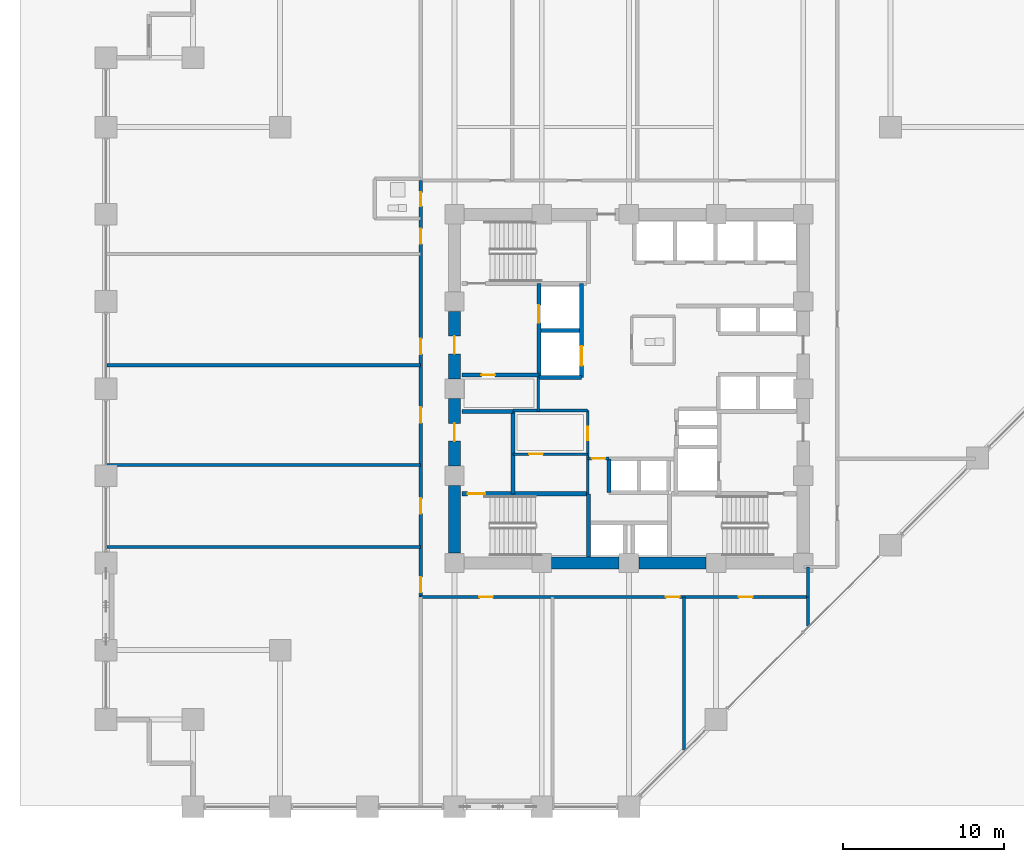
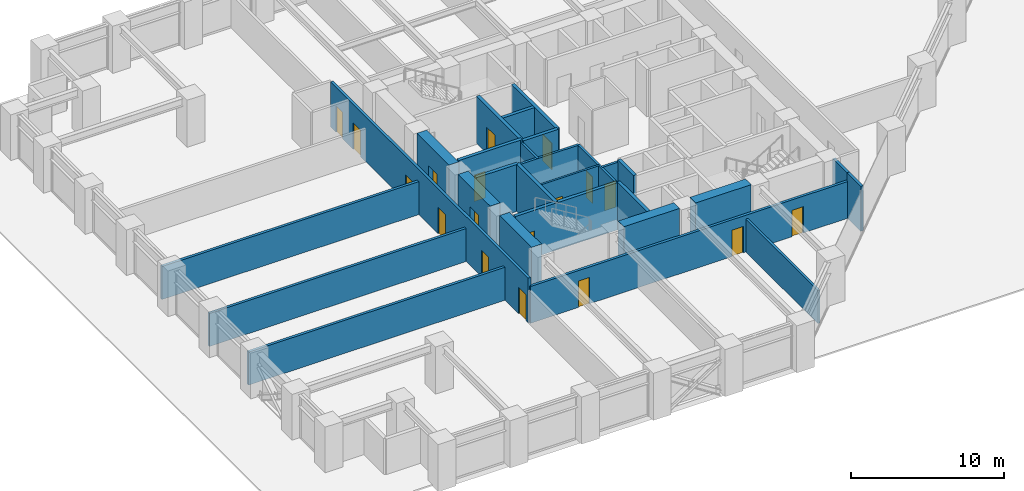
# One storey, part 20 of 27: 28 walls, 18 doors, 18 openings.
"""IFC4 building model written with IfcOpenShell, lengths in metres."""

from ifc_helpers import new_model, si_unit, direction, frame, frame_2d, origin, place, context, subcontext, project, spatial, rectangle, extrude, material, layer, layer_set, type_object, element, fill, save


model = new_model("IFC4")

# Units and contexts
model_context = context("Model", 3, precision=1e-05, world=origin(), true_north=direction((0.0, 1.0)))
body_context = subcontext(model_context, "Body", "Model", "MODEL_VIEW")
ifc_project = project(units=[si_unit("LENGTHUNIT", "METRE"), si_unit("AREAUNIT", "SQUARE_METRE"), si_unit("VOLUMEUNIT", "CUBIC_METRE"), si_unit("PLANEANGLEUNIT", "RADIAN"), si_unit("MASSUNIT", "GRAM", prefix="KILO")], contexts=[model_context])

# Site, building, storey
site_placement = place(None, origin())
site = spatial("IfcSite", under=ifc_project, at=site_placement, CompositionType="ELEMENT")
building_placement = place(site_placement, origin())
building = spatial("IfcBuilding", under=site, at=building_placement, Name="Surkhivell Harbour Commons", CompositionType="ELEMENT")
storey_placement = place(building_placement, frame((0.0, 0.0, 22.5)))
storey = spatial("IfcBuildingStorey", under=building, at=storey_placement, Name="L05", CompositionType="ELEMENT", Elevation=22.5)

# Walls
ifc_material_1 = material(Name="Concrete C60/75", Category="concrete")
ifc_layer_1 = layer(ifc_material_1, 0.75)
ifc_layer_set_1 = layer_set([ifc_layer_1], Name="Concrete C60/75")
wall_type_1 = type_object("IfcWallType", Name="WAL-CORE-750", PredefinedType="SHEAR", material=ifc_layer_set_1)
for number, where, z_axis, x_axis, name in (
    (1, (-10.800048828125, -10.18994140625, 0.0), (0.0, 0.0, 1.0), (0.0, 1.0, 0.0), "L05 Core Shear Wall West 1"),
    (2, (-4.7900390625, -10.800048828125, 0.0), (0.0, 0.0, 1.0), (1.0, 0.0, 0.0), "L05 Core Shear Wall South 2"),
):
    element("IfcWall", number, at=place(storey_placement, frame(where, z_axis=z_axis, x_axis=x_axis)), inside=storey, type_object=wall_type_1, Name=name, PredefinedType="SHEAR", context=body_context, shape_type="SweptSolid", body=[
        extrude(rectangle(XDim=4.179931640625, YDim=0.75, at=frame_2d((2.08984375, 0.0))), origin(), (0.0, 0.0, 1.0), 3.75),
    ])

# Wall, opening, door
wall_1_placement = place(storey_placement, frame((-10.800048828125, -4.7900390625, 0.0), z_axis=(0.0, 0.0, 1.0), x_axis=(0.0, 1.0, 0.0)))
wall_1 = element("IfcWall", 3, at=wall_1_placement, inside=storey, type_object=wall_type_1, Name="L05 Core Shear Wall West 2", PredefinedType="SHEAR", context=body_context, shape_type="SweptSolid", body=[
    extrude(rectangle(XDim=4.179931640625, YDim=0.75, at=frame_2d((2.08984375, 0.0))), origin(), (0.0, 0.0, 1.0), 3.75),
])
opening_1_placement = place(wall_1_placement, frame((1.5400390625, 0.0, 0.0)))
opening_1 = element("IfcOpeningElement", 4, at=opening_1_placement, cuts=wall_1, Name="Opening ID-2", PredefinedType="OPENING", context=body_context, shape_type="SweptSolid", body=[
    extrude(rectangle(XDim=1.10009765625, YDim=2.10009765625, at=frame_2d((0.550048828125, 1.050048828125))), frame((0.0, 0.385009765625, 0.0), z_axis=(0.0, -1.0, 0.0), x_axis=(1.0, 0.0, 0.0)), (0.0, 0.0, 1.0), 0.77001953125),
])
ifc_material_2 = material(Name="Hardwood-veneered fire-rated door leaf", Category="wood")
door_type_1 = type_object("IfcDoorType", Name="DOR-FD60-1100", OperationType="NOTDEFINED", PredefinedType="DOOR", material=ifc_material_2)
door_1_placement = place(opening_1_placement, origin())
door_1 = element("IfcDoor", 5, at=door_1_placement, inside=storey, type_object=door_type_1, Name="L05 Stair 3 Lobby Corridor Door", OperationType="SINGLE_SWING_LEFT", OverallHeight=2.10009765625, OverallWidth=1.10009765625, PredefinedType="DOOR", context=body_context, shape_type="SweptSolid", body=[
    extrude(rectangle(XDim=1.10009765625, YDim=2.10009765625, at=frame_2d((0.550048828125, 1.050048828125))), frame((0.0, 0.02490234375, 0.0), z_axis=(0.0, -1.0, 0.0), x_axis=(1.0, 0.0, 0.0)), (0.0, 0.0, 1.0), 0.050048828125),
])
fill(opening_1, door_1)

# Wall
wall_2_placement = place(storey_placement, frame((0.610107421875, -10.800048828125, 0.0), z_axis=(0.0, 0.0, 1.0), x_axis=(1.0, 0.0, 0.0)))
element("IfcWall", 6, at=wall_2_placement, inside=storey, type_object=wall_type_1, Name="L05 Core Shear Wall South 3", PredefinedType="SHEAR", context=body_context, shape_type="SweptSolid", body=[
    extrude(rectangle(XDim=4.179931640625, YDim=0.75, at=frame_2d((2.08984375, 0.0))), origin(), (0.0, 0.0, 1.0), 3.75),
])

# Wall, opening, door
wall_3_placement = place(storey_placement, frame((-10.800048828125, 0.610107421875, 0.0), z_axis=(0.0, 0.0, 1.0), x_axis=(0.0, 1.0, 0.0)))
wall_3 = element("IfcWall", 7, at=wall_3_placement, inside=storey, type_object=wall_type_1, Name="L05 Core Shear Wall West 3", PredefinedType="SHEAR", context=body_context, shape_type="SweptSolid", body=[
    extrude(rectangle(XDim=4.179931640625, YDim=0.75, at=frame_2d((2.08984375, 0.0))), origin(), (0.0, 0.0, 1.0), 3.75),
])
opening_2_placement = place(wall_3_placement, frame((1.5400390625, 0.0, 0.0)))
opening_2 = element("IfcOpeningElement", 8, at=opening_2_placement, cuts=wall_3, Name="Opening ID-1", PredefinedType="OPENING", context=body_context, shape_type="SweptSolid", body=[
    extrude(rectangle(XDim=1.10009765625, YDim=2.10009765625, at=frame_2d((0.550048828125, 1.050048828125))), frame((0.0, 0.385009765625, 0.0), z_axis=(0.0, -1.0, 0.0), x_axis=(1.0, 0.0, 0.0)), (0.0, 0.0, 1.0), 0.77001953125),
])
door_type_2 = type_object("IfcDoorType", Name="DOR-FD120-1100", OperationType="NOTDEFINED", PredefinedType="DOOR", material=ifc_material_2)
door_2_placement = place(opening_2_placement, origin())
door_2 = element("IfcDoor", 9, at=door_2_placement, inside=storey, type_object=door_type_2, Name="L05 Firefighting Lobby 1 Corridor Door", OperationType="SINGLE_SWING_LEFT", OverallHeight=2.10009765625, OverallWidth=1.10009765625, PredefinedType="DOOR", context=body_context, shape_type="SweptSolid", body=[
    extrude(rectangle(XDim=1.10009765625, YDim=2.10009765625, at=frame_2d((0.550048828125, 1.050048828125))), frame((0.0, 0.02490234375, 0.0), z_axis=(0.0, -1.0, 0.0), x_axis=(1.0, 0.0, 0.0)), (0.0, 0.0, 1.0), 0.050048828125),
])
fill(opening_2, door_2)

ifc_material_3 = material(Name="Twin-stud acoustic fireboard partition", Category="other")
ifc_layer_2 = layer(ifc_material_3, 0.14990234375)
ifc_layer_set_2 = layer_set([ifc_layer_2], Name="Twin-stud acoustic fireboard partition")
wall_type_2 = type_object("IfcWallType", Name="WAL-INT-150", PredefinedType="PARTITIONING", material=ifc_layer_set_2)
wall_4_placement = place(storey_placement, frame((-7.179931640625, -4.050048828125, 0.0), z_axis=(0.0, 0.0, 1.0), x_axis=(1.0, 0.0, 0.0)))
wall_4 = element("IfcWall", 10, at=wall_4_placement, inside=storey, type_object=wall_type_2, Name="L05 Core Cut A Partition", PredefinedType="PARTITIONING", context=body_context, shape_type="SweptSolid", body=[
    extrude(rectangle(XDim=4.6298828125, YDim=0.14990234375, at=frame_2d((2.31494140625, 0.0))), origin(), (0.0, 0.0, 1.0), 3.570068359375),
])
opening_3_placement = place(wall_4_placement, frame((1.0, 0.0, 0.0)))
opening_3 = element("IfcOpeningElement", 11, at=opening_3_placement, cuts=wall_4, Name="Opening ID-6", PredefinedType="OPENING", context=body_context, shape_type="SweptSolid", body=[
    extrude(rectangle(XDim=0.85009765625, YDim=2.10009765625, at=frame_2d((0.425048828125, 1.050048828125))), frame((0.0, 0.0849609375, 0.0), z_axis=(0.0, -1.0, 0.0), x_axis=(1.0, 0.0, 0.0)), (0.0, 0.0, 1.0), 0.169921875),
])
door_type_3 = type_object("IfcDoorType", Name="DOR-FD30-850", OperationType="NOTDEFINED", PredefinedType="DOOR", material=ifc_material_2)
door_3_placement = place(opening_3_placement, origin())
door_3 = element("IfcDoor", 12, at=door_3_placement, inside=storey, type_object=door_type_3, Name="L05 Linen Room Door", OperationType="SINGLE_SWING_RIGHT", OverallHeight=2.10009765625, OverallWidth=0.85009765625, PredefinedType="DOOR", context=body_context, shape_type="SweptSolid", body=[
    extrude(rectangle(XDim=0.85009765625, YDim=2.10009765625, at=frame_2d((0.425048828125, 1.050048828125))), frame((0.0, 0.02490234375, 0.0), z_axis=(0.0, -1.0, 0.0), x_axis=(1.0, 0.0, 0.0)), (0.0, 0.0, 1.0), 0.050048828125),
])
fill(opening_3, door_3)

ifc_material_4 = material(Name="High-density acoustic blockwork fire partition", Category="masonry")
ifc_layer_3 = layer(ifc_material_4, 0.175048828125)
ifc_layer_set_3 = layer_set([ifc_layer_3], Name="High-density acoustic blockwork fire partition")
wall_type_3 = type_object("IfcWallType", Name="WAL-INT-175", PredefinedType="PARTITIONING", material=ifc_layer_set_3)
wall_5_placement = place(storey_placement, frame((-2.550048828125, -6.510009765625, 0.0), z_axis=(0.0, 0.0, 1.0), x_axis=(0.0, 1.0, 0.0)))
wall_5 = element("IfcWall", 13, at=wall_5_placement, inside=storey, type_object=wall_type_3, Name="L05 Core Service Bay East Wall", PredefinedType="PARTITIONING", context=body_context, shape_type="SweptSolid", body=[
    extrude(rectangle(XDim=5.159912109375, YDim=0.175048828125, at=frame_2d((2.580078125, 0.0))), origin(), (0.0, 0.0, 1.0), 3.570068359375),
])
opening_4_placement = place(wall_5_placement, frame((3.300048828125, 0.0, 0.0)))
opening_4 = element("IfcOpeningElement", 14, at=opening_4_placement, cuts=wall_5, Name="Opening ID-6", PredefinedType="OPENING", context=body_context, shape_type="SweptSolid", body=[
    extrude(rectangle(XDim=0.85009765625, YDim=2.10009765625, at=frame_2d((0.425048828125, 1.050048828125))), frame((0.0, 0.097412109375, 0.0), z_axis=(0.0, -1.0, 0.0), x_axis=(1.0, 0.0, 0.0)), (0.0, 0.0, 1.0), 0.195068359375),
])
door_4_placement = place(opening_4_placement, origin())
door_4 = element("IfcDoor", 15, at=door_4_placement, inside=storey, type_object=door_type_3, Name="L05 Core Reading Alcove Door", OperationType="SINGLE_SWING_LEFT", OverallHeight=2.10009765625, OverallWidth=0.85009765625, PredefinedType="DOOR", context=body_context, shape_type="SweptSolid", body=[
    extrude(rectangle(XDim=0.85009765625, YDim=2.10009765625, at=frame_2d((0.425048828125, 1.050048828125))), frame((0.0, 0.02490234375, 0.0), z_axis=(0.0, -1.0, 0.0), x_axis=(1.0, 0.0, 0.0)), (0.0, 0.0, 1.0), 0.050048828125),
])
fill(opening_4, door_4)

# Walls
wall_6_placement = place(storey_placement, frame((-7.179931640625, -1.35009765625, 0.0), z_axis=(0.0, 0.0, 1.0), x_axis=(1.0, 0.0, 0.0)))
element("IfcWall", 16, at=wall_6_placement, inside=storey, type_object=wall_type_3, Name="L05 Core Service Bay North Wall", PredefinedType="PARTITIONING", context=body_context, shape_type="SweptSolid", body=[
    extrude(rectangle(XDim=4.6298828125, YDim=0.175048828125, at=frame_2d((2.31494140625, 0.0))), origin(), (0.0, 0.0, 1.0), 3.570068359375),
])
wall_7_placement = place(storey_placement, frame((-5.6201171875, -1.419921875, 0.0), z_axis=(0.0, 0.0, 1.0), x_axis=(0.0, 1.0, 0.0)))
element("IfcWall", 17, at=wall_7_placement, inside=storey, type_object=wall_type_3, Name="L05 West Core Bay East Wall", PredefinedType="PARTITIONING", context=body_context, shape_type="SweptSolid", body=[
    extrude(rectangle(XDim=2.139892578125, YDim=0.175048828125, at=frame_2d((1.06982421875, 0.0))), origin(), (0.0, 0.0, 1.0), 3.570068359375),
])

# Wall, opening, door
wall_8_placement = place(storey_placement, frame((-2.52001953125, -4.320068359375, 0.0), z_axis=(0.0, 0.0, 1.0), x_axis=(1.0, 0.0, 0.0)))
wall_8 = element("IfcWall", 18, at=wall_8_placement, inside=storey, type_object=wall_type_3, Name="L05 High-Rise Lobby North Portal Wall", PredefinedType="PARTITIONING", context=body_context, shape_type="SweptSolid", body=[
    extrude(rectangle(XDim=1.300048828125, YDim=0.175048828125, at=frame_2d((0.64990234375, 0.0))), origin(), (0.0, 0.0, 1.0), 3.570068359375),
])
opening_5_placement = place(wall_8_placement, frame((0.219970703125, 0.0, 0.0)))
opening_5 = element("IfcOpeningElement", 19, at=opening_5_placement, cuts=wall_8, Name="Opening ID-6", PredefinedType="OPENING", context=body_context, shape_type="SweptSolid", body=[
    extrude(rectangle(XDim=0.85009765625, YDim=2.10009765625, at=frame_2d((0.425048828125, 1.050048828125))), frame((0.0, 0.097412109375, 0.0), z_axis=(0.0, -1.0, 0.0), x_axis=(1.0, 0.0, 0.0)), (0.0, 0.0, 1.0), 0.195068359375),
])
door_5_placement = place(opening_5_placement, origin())
door_5 = element("IfcDoor", 20, at=door_5_placement, inside=storey, type_object=door_type_3, Name="L05 High-Rise Lift Lobby North Door", OperationType="SINGLE_SWING_LEFT", OverallHeight=2.10009765625, OverallWidth=0.85009765625, PredefinedType="DOOR", context=body_context, shape_type="SweptSolid", body=[
    extrude(rectangle(XDim=0.85009765625, YDim=2.10009765625, at=frame_2d((0.425048828125, 1.050048828125))), frame((0.0, 0.02490234375, 0.0), z_axis=(0.0, -1.0, 0.0), x_axis=(1.0, 0.0, 0.0)), (0.0, 0.0, 1.0), 0.050048828125),
])
fill(opening_5, door_5)

# Walls
wall_9_placement = place(storey_placement, frame((3.419921875, -22.395263671875, 0.0), z_axis=(0.0, 0.0, 1.0), x_axis=(0.0, 1.0, 0.0)))
element("IfcWall", 21, at=wall_9_placement, inside=storey, type_object=wall_type_3, Name="L05 South Partition P2", PredefinedType="PARTITIONING", context=body_context, shape_type="SweptSolid", body=[
    extrude(rectangle(XDim=9.495361328125, YDim=0.175048828125, at=frame_2d((4.74755859375, 0.0))), origin(), (0.0, 0.0, 1.0), 2.62890625),
])
ifc_material_5 = material(Name="Autoclaved aerated concrete blockwork and fire plaster", Category="masonry")
ifc_layer_4 = layer(ifc_material_5, 0.199951171875)
ifc_layer_set_4 = layer_set([ifc_layer_4], Name="Autoclaved aerated concrete blockwork and fire plaster")
wall_type_4 = type_object("IfcWallType", Name="WAL-INT-200", PredefinedType="PARTITIONING", material=ifc_layer_set_4)
wall_10_placement = place(storey_placement, frame((11.10009765625, -14.715087890625, 0.0), z_axis=(0.0, 0.0, 1.0), x_axis=(0.0, 1.0, 0.0)))
element("IfcWall", 22, at=wall_10_placement, inside=storey, type_object=wall_type_4, Name="L05 South-East Wing Corner Divider", PredefinedType="PARTITIONING", context=body_context, shape_type="SweptSolid", body=[
    extrude(rectangle(XDim=1.815185546875, YDim=0.199951171875, at=frame_2d((0.90771484375, 0.0))), origin(), (0.0, 0.0, 1.0), 3.570068359375),
])

# Wall, openings, doors
wall_11_placement = place(storey_placement, frame((-12.89990234375, -12.89990234375, 0.0), z_axis=(0.0, 0.0, 1.0), x_axis=(1.0, 0.0, 0.0)))
wall_11 = element("IfcWall", 23, at=wall_11_placement, inside=storey, type_object=wall_type_4, Name="L05 Corridor South Wall", PredefinedType="PARTITIONING", context=body_context, shape_type="SweptSolid", body=[
    extrude(rectangle(XDim=24.0, YDim=0.199951171875, at=frame_2d((12.0, 0.0))), origin(), (0.0, 0.0, 1.0), 2.929931640625),
])
opening_6_placement = place(wall_11_placement, frame((3.6298828125, 0.0, 0.0)))
opening_6 = element("IfcOpeningElement", 24, at=opening_6_placement, cuts=wall_11, Name="Opening ID-6", PredefinedType="OPENING", context=body_context, shape_type="SweptSolid", body=[
    extrude(rectangle(XDim=0.85009765625, YDim=2.10009765625, at=frame_2d((0.425048828125, 1.050048828125))), frame((0.0, 0.10986328125, 0.0), z_axis=(0.0, -1.0, 0.0), x_axis=(1.0, 0.0, 0.0)), (0.0, 0.0, 1.0), 0.219970703125),
])
opening_7_placement = place(wall_11_placement, frame((15.18994140625, 0.0, 0.0)))
opening_7 = element("IfcOpeningElement", 25, at=opening_7_placement, cuts=wall_11, Name="Opening ID-6", PredefinedType="OPENING", context=body_context, shape_type="SweptSolid", body=[
    extrude(rectangle(XDim=0.85009765625, YDim=2.10009765625, at=frame_2d((0.425048828125, 1.050048828125))), frame((0.0, 0.10986328125, 0.0), z_axis=(0.0, -1.0, 0.0), x_axis=(1.0, 0.0, 0.0)), (0.0, 0.0, 1.0), 0.219970703125),
])
opening_8_placement = place(wall_11_placement, frame((19.7099609375, 0.0, 0.0)))
opening_8 = element("IfcOpeningElement", 26, at=opening_8_placement, cuts=wall_11, Name="Opening ID-6", PredefinedType="OPENING", context=body_context, shape_type="SweptSolid", body=[
    extrude(rectangle(XDim=0.85009765625, YDim=2.10009765625, at=frame_2d((0.425048828125, 1.050048828125))), frame((0.0, 0.10986328125, 0.0), z_axis=(0.0, -1.0, 0.0), x_axis=(1.0, 0.0, 0.0)), (0.0, 0.0, 1.0), 0.219970703125),
])
door_6_placement = place(opening_6_placement, origin())
door_6 = element("IfcDoor", 27, at=door_6_placement, inside=storey, type_object=door_type_3, Name="L05 Academic Seminar Room 1 South Door", OperationType="SINGLE_SWING_LEFT", OverallHeight=2.10009765625, OverallWidth=0.85009765625, PredefinedType="DOOR", context=body_context, shape_type="SweptSolid", body=[
    extrude(rectangle(XDim=0.85009765625, YDim=2.10009765625, at=frame_2d((0.425048828125, 1.050048828125))), frame((0.0, 0.02490234375, 0.0), z_axis=(0.0, -1.0, 0.0), x_axis=(1.0, 0.0, 0.0)), (0.0, 0.0, 1.0), 0.050048828125),
])
fill(opening_6, door_6)
door_7_placement = place(opening_7_placement, origin())
door_7 = element("IfcDoor", 28, at=door_7_placement, inside=storey, type_object=door_type_3, Name="L05 Academic Seminar Room 2 South Door", OperationType="SINGLE_SWING_RIGHT", OverallHeight=2.10009765625, OverallWidth=0.85009765625, PredefinedType="DOOR", context=body_context, shape_type="SweptSolid", body=[
    extrude(rectangle(XDim=0.85009765625, YDim=2.10009765625, at=frame_2d((0.425048828125, 1.050048828125))), frame((0.0, 0.02490234375, 0.0), z_axis=(0.0, -1.0, 0.0), x_axis=(1.0, 0.0, 0.0)), (0.0, 0.0, 1.0), 0.050048828125),
])
fill(opening_7, door_7)
door_8_placement = place(opening_8_placement, origin())
door_8 = element("IfcDoor", 29, at=door_8_placement, inside=storey, type_object=door_type_3, Name="L05 Academic Seminar Room 3 South Door", OperationType="SINGLE_SWING_LEFT", OverallHeight=2.10009765625, OverallWidth=0.85009765625, PredefinedType="DOOR", context=body_context, shape_type="SweptSolid", body=[
    extrude(rectangle(XDim=0.85009765625, YDim=2.10009765625, at=frame_2d((0.425048828125, 1.050048828125))), frame((0.0, 0.02490234375, 0.0), z_axis=(0.0, -1.0, 0.0), x_axis=(1.0, 0.0, 0.0)), (0.0, 0.0, 1.0), 0.050048828125),
])
fill(opening_8, door_8)

# Wall
wall_12_placement = place(storey_placement, frame((11.10009765625, -12.89990234375, 0.0), z_axis=(0.0, 0.0, 1.0), x_axis=(0.0, 1.0, 0.0)))
element("IfcWall", 30, at=wall_12_placement, inside=storey, type_object=wall_type_4, Name="L05 Corridor SE Closure Wall", PredefinedType="PARTITIONING", context=body_context, shape_type="SweptSolid", body=[
    extrude(rectangle(XDim=1.85986328125, YDim=0.199951171875, at=frame_2d((0.929931640625, 0.0))), origin(), (0.0, 0.0, 1.0), 3.570068359375),
])

# Wall, openings, doors
wall_13_placement = place(storey_placement, frame((-12.89990234375, -12.89990234375, 0.0), z_axis=(0.0, 0.0, 1.0), x_axis=(0.0, 1.0, 0.0)))
wall_13 = element("IfcWall", 31, at=wall_13_placement, inside=storey, type_object=wall_type_4, Name="L05 Corridor West Wall", PredefinedType="PARTITIONING", context=body_context, shape_type="SweptSolid", body=[
    extrude(rectangle(XDim=25.7998046875, YDim=0.199951171875, at=frame_2d((12.89990234375, 0.0))), origin(), (0.0, 0.0, 1.0), 3.570068359375),
])
opening_9_placement = place(wall_13_placement, frame((0.280029296875, 0.0, 0.0)))
opening_9 = element("IfcOpeningElement", 32, at=opening_9_placement, cuts=wall_13, Name="Opening ID-4", PredefinedType="OPENING", context=body_context, shape_type="SweptSolid", body=[
    extrude(rectangle(XDim=0.949951171875, YDim=2.10009765625, at=frame_2d((0.47509765625, 1.050048828125))), frame((0.0, 0.10986328125, 0.0), z_axis=(0.0, -1.0, 0.0), x_axis=(1.0, 0.0, 0.0)), (0.0, 0.0, 1.0), 0.219970703125),
])
opening_10_placement = place(wall_13_placement, frame((24.205078125, 0.0, 0.0)))
opening_10 = element("IfcOpeningElement", 33, at=opening_10_placement, cuts=wall_13, Name="Opening ID-6", PredefinedType="OPENING", context=body_context, shape_type="SweptSolid", body=[
    extrude(rectangle(XDim=0.85009765625, YDim=2.10009765625, at=frame_2d((0.425048828125, 1.050048828125))), frame((0.0, 0.10986328125, 0.0), z_axis=(0.0, -1.0, 0.0), x_axis=(1.0, 0.0, 0.0)), (0.0, 0.0, 1.0), 0.219970703125),
])
opening_11_placement = place(wall_13_placement, frame((21.8701171875, 0.0, 0.0)))
opening_11 = element("IfcOpeningElement", 34, at=opening_11_placement, cuts=wall_13, Name="Opening ID-4", PredefinedType="OPENING", context=body_context, shape_type="SweptSolid", body=[
    extrude(rectangle(XDim=0.949951171875, YDim=2.10009765625, at=frame_2d((0.47509765625, 1.050048828125))), frame((0.0, 0.10986328125, 0.0), z_axis=(0.0, -1.0, 0.0), x_axis=(1.0, 0.0, 0.0)), (0.0, 0.0, 1.0), 0.219970703125),
])
opening_12_placement = place(wall_13_placement, frame((5.159912109375, 0.0, 0.0)))
opening_12 = element("IfcOpeningElement", 35, at=opening_12_placement, cuts=wall_13, Name="Opening ID-4", PredefinedType="OPENING", context=body_context, shape_type="SweptSolid", body=[
    extrude(rectangle(XDim=0.949951171875, YDim=2.10009765625, at=frame_2d((0.47509765625, 1.050048828125))), frame((0.0, 0.10986328125, 0.0), z_axis=(0.0, -1.0, 0.0), x_axis=(1.0, 0.0, 0.0)), (0.0, 0.0, 1.0), 0.219970703125),
])
opening_13_placement = place(wall_13_placement, frame((10.784912109375, 0.0, 0.0)))
opening_13 = element("IfcOpeningElement", 36, at=opening_13_placement, cuts=wall_13, Name="Opening ID-4", PredefinedType="OPENING", context=body_context, shape_type="SweptSolid", body=[
    extrude(rectangle(XDim=0.949951171875, YDim=2.10009765625, at=frame_2d((0.47509765625, 1.050048828125))), frame((0.0, 0.10986328125, 0.0), z_axis=(0.0, -1.0, 0.0), x_axis=(1.0, 0.0, 0.0)), (0.0, 0.0, 1.0), 0.219970703125),
])
opening_14_placement = place(wall_13_placement, frame((15.044677734375, 0.0, 0.0)))
opening_14 = element("IfcOpeningElement", 37, at=opening_14_placement, cuts=wall_13, Name="Opening ID-4", PredefinedType="OPENING", context=body_context, shape_type="SweptSolid", body=[
    extrude(rectangle(XDim=0.949951171875, YDim=2.10009765625, at=frame_2d((0.47509765625, 1.050048828125))), frame((0.0, 0.10986328125, 0.0), z_axis=(0.0, -1.0, 0.0), x_axis=(1.0, 0.0, 0.0)), (0.0, 0.0, 1.0), 0.219970703125),
])
door_9_placement = place(opening_10_placement, origin())
door_9 = element("IfcDoor", 38, at=door_9_placement, inside=storey, type_object=door_type_3, Name="L05 Communal Shower Bathroom West Door", OperationType="SINGLE_SWING_LEFT", OverallHeight=2.10009765625, OverallWidth=0.85009765625, PredefinedType="DOOR", context=body_context, shape_type="SweptSolid", body=[
    extrude(rectangle(XDim=0.85009765625, YDim=2.10009765625, at=frame_2d((0.425048828125, 1.050048828125))), frame((0.0, 0.02490234375, 0.0), z_axis=(0.0, -1.0, 0.0), x_axis=(1.0, 0.0, 0.0)), (0.0, 0.0, 1.0), 0.050048828125),
])
fill(opening_10, door_9)
door_type_4 = type_object("IfcDoorType", Name="DOR-FD60-950", OperationType="NOTDEFINED", PredefinedType="DOOR", material=ifc_material_2)
door_10_placement = place(opening_9_placement, origin())
door_10 = element("IfcDoor", 39, at=door_10_placement, inside=storey, type_object=door_type_4, Name="L05 Shared Communal Kitchen West Door", OperationType="SINGLE_SWING_RIGHT", OverallHeight=2.10009765625, OverallWidth=0.949951171875, PredefinedType="DOOR", context=body_context, shape_type="SweptSolid", body=[
    extrude(rectangle(XDim=0.949951171875, YDim=2.10009765625, at=frame_2d((0.47509765625, 1.050048828125))), frame((0.0, 0.02490234375, 0.0), z_axis=(0.0, -1.0, 0.0), x_axis=(1.0, 0.0, 0.0)), (0.0, 0.0, 1.0), 0.050048828125),
])
fill(opening_9, door_10)
door_11_placement = place(opening_11_placement, origin())
door_11 = element("IfcDoor", 40, at=door_11_placement, inside=storey, type_object=door_type_4, Name="L05 Academic Reading Commons West Door", OperationType="SINGLE_SWING_RIGHT", OverallHeight=2.10009765625, OverallWidth=0.949951171875, PredefinedType="DOOR", context=body_context, shape_type="SweptSolid", body=[
    extrude(rectangle(XDim=0.949951171875, YDim=2.10009765625, at=frame_2d((0.47509765625, 1.050048828125))), frame((0.0, 0.02490234375, 0.0), z_axis=(0.0, -1.0, 0.0), x_axis=(1.0, 0.0, 0.0)), (0.0, 0.0, 1.0), 0.050048828125),
])
fill(opening_11, door_11)
door_12_placement = place(opening_12_placement, origin())
door_12 = element("IfcDoor", 41, at=door_12_placement, inside=storey, type_object=door_type_4, Name="L05 Hostel Cluster Bedroom 1 West Door", OperationType="SINGLE_SWING_LEFT", OverallHeight=2.10009765625, OverallWidth=0.949951171875, PredefinedType="DOOR", context=body_context, shape_type="SweptSolid", body=[
    extrude(rectangle(XDim=0.949951171875, YDim=2.10009765625, at=frame_2d((0.47509765625, 1.050048828125))), frame((0.0, 0.02490234375, 0.0), z_axis=(0.0, -1.0, 0.0), x_axis=(1.0, 0.0, 0.0)), (0.0, 0.0, 1.0), 0.050048828125),
])
fill(opening_12, door_12)
door_13_placement = place(opening_13_placement, origin())
door_13 = element("IfcDoor", 42, at=door_13_placement, inside=storey, type_object=door_type_4, Name="L05 Co-Living Dormitory Bedroom 2 West Door", OperationType="SINGLE_SWING_RIGHT", OverallHeight=2.10009765625, OverallWidth=0.949951171875, PredefinedType="DOOR", context=body_context, shape_type="SweptSolid", body=[
    extrude(rectangle(XDim=0.949951171875, YDim=2.10009765625, at=frame_2d((0.47509765625, 1.050048828125))), frame((0.0, 0.02490234375, 0.0), z_axis=(0.0, -1.0, 0.0), x_axis=(1.0, 0.0, 0.0)), (0.0, 0.0, 1.0), 0.050048828125),
])
fill(opening_13, door_13)
door_14_placement = place(opening_14_placement, origin())
door_14 = element("IfcDoor", 43, at=door_14_placement, inside=storey, type_object=door_type_4, Name="L05 Hostel Cluster Bedroom 3 West Door", OperationType="SINGLE_SWING_LEFT", OverallHeight=2.10009765625, OverallWidth=0.949951171875, PredefinedType="DOOR", context=body_context, shape_type="SweptSolid", body=[
    extrude(rectangle(XDim=0.949951171875, YDim=2.10009765625, at=frame_2d((0.47509765625, 1.050048828125))), frame((0.0, 0.02490234375, 0.0), z_axis=(0.0, -1.0, 0.0), x_axis=(1.0, 0.0, 0.0)), (0.0, 0.0, 1.0), 0.050048828125),
])
fill(opening_14, door_14)

# Walls
for number, where, z_axis, x_axis, name in (
    (44, (-32.340087890625, -4.719970703125, 0.0), (0.0, 0.0, 1.0), (1.0, 0.0, 0.0), "L05 West Partition BDP1"),
    (45, (-32.340087890625, 1.449951171875, 0.0), (0.0, 0.0, 1.0), (1.0, 0.0, 0.0), "L05 West Partition BDP2"),
    (46, (-32.340087890625, -9.800048828125, 0.0), (0.0, 0.0, 1.0), (1.0, 0.0, 0.0), "L05 West Partition PBOT"),
):
    element("IfcWall", number, at=place(storey_placement, frame(where, z_axis=z_axis, x_axis=x_axis)), inside=storey, type_object=wall_type_4, Name=name, PredefinedType="PARTITIONING", context=body_context, shape_type="SweptSolid", body=[
        extrude(rectangle(XDim=19.440185546875, YDim=0.199951171875, at=frame_2d((9.72021484375, 0.0))), origin(), (0.0, 0.0, 1.0), 2.62890625),
    ])

# Wall, opening, door
ifc_material_6 = material(Name="Concrete C50/60", Category="concrete")
ifc_layer_5 = layer(ifc_material_6, 0.25)
ifc_layer_set_5 = layer_set([ifc_layer_5], Name="Concrete C50/60")
wall_type_5 = type_object("IfcWallType", Name="WAL-SHAFT-250", PredefinedType="SHEAR", material=ifc_layer_set_5)
wall_14_placement = place(storey_placement, frame((-5.580078125, 0.719970703125, 0.0), z_axis=(0.0, 0.0, 1.0), x_axis=(0.0, 1.0, 0.0)))
wall_14 = element("IfcWall", 47, at=wall_14_placement, inside=storey, type_object=wall_type_5, Name="L05 Firefighting Lobby 1 East Shaft Wall", PredefinedType="SHEAR", context=body_context, shape_type="SweptSolid", body=[
    extrude(rectangle(XDim=5.7900390625, YDim=0.25, at=frame_2d((2.89501953125, 0.0))), origin(), (0.0, 0.0, 1.0), 3.75),
])
opening_15_placement = place(wall_14_placement, frame((3.35009765625, 0.0, 0.0)))
opening_15 = element("IfcOpeningElement", 48, at=opening_15_placement, cuts=wall_14, Name="Opening LD-1", PredefinedType="OPENING", context=body_context, shape_type="SweptSolid", body=[
    extrude(rectangle(XDim=1.10009765625, YDim=2.10009765625, at=frame_2d((0.550048828125, 1.050048828125))), frame((0.0, 0.135009765625, 0.0), z_axis=(0.0, -1.0, 0.0), x_axis=(1.0, 0.0, 0.0)), (0.0, 0.0, 1.0), 0.27001953125),
])
ifc_material_7 = material(Name="Brushed stainless steel S355", Category="steel")
door_type_5 = type_object("IfcDoorType", Name="DOR-LD-1100", OperationType="SLIDING_TO_LEFT", PredefinedType="DOOR", material=ifc_material_7)
door_15_placement = place(opening_15_placement, origin())
door_15 = element("IfcDoor", 49, at=door_15_placement, inside=storey, type_object=door_type_5, Name="L05 Lift Landing Door LD-FFL1", OperationType="SLIDING_TO_LEFT", OverallHeight=2.10009765625, OverallWidth=1.10009765625, PredefinedType="DOOR", context=body_context, shape_type="SweptSolid", body=[
    extrude(rectangle(XDim=1.10009765625, YDim=2.10009765625, at=frame_2d((0.550048828125, 1.050048828125))), frame((0.0, 0.02490234375, 0.0), z_axis=(0.0, -1.0, 0.0), x_axis=(1.0, 0.0, 0.0)), (0.0, 0.0, 1.0), 0.050048828125),
])
fill(opening_15, door_15)

wall_15_placement = place(storey_placement, frame((-10.340087890625, 0.85009765625, 0.0), z_axis=(0.0, 0.0, 1.0), x_axis=(1.0, 0.0, 0.0)))
wall_15 = element("IfcWall", 50, at=wall_15_placement, inside=storey, type_object=wall_type_5, Name="L05 Firefighting Lobby 1 South Wall", PredefinedType="SHEAR", context=body_context, shape_type="SweptSolid", body=[
    extrude(rectangle(XDim=4.760009765625, YDim=0.25, at=frame_2d((2.3798828125, 0.0))), origin(), (0.0, 0.0, 1.0), 3.75),
])
opening_16_placement = place(wall_15_placement, frame((1.199951171875, 0.0, 0.0)))
opening_16 = element("IfcOpeningElement", 51, at=opening_16_placement, cuts=wall_15, Name="Opening ID-6", PredefinedType="OPENING", context=body_context, shape_type="SweptSolid", body=[
    extrude(rectangle(XDim=0.85009765625, YDim=2.10009765625, at=frame_2d((0.425048828125, 1.050048828125))), frame((0.0, 0.135009765625, 0.0), z_axis=(0.0, -1.0, 0.0), x_axis=(1.0, 0.0, 0.0)), (0.0, 0.0, 1.0), 0.27001953125),
])
door_16_placement = place(opening_16_placement, origin())
door_16 = element("IfcDoor", 52, at=door_16_placement, inside=storey, type_object=door_type_3, Name="L05 West Quiet Study Door", OperationType="SINGLE_SWING_RIGHT", OverallHeight=2.10009765625, OverallWidth=0.85009765625, PredefinedType="DOOR", context=body_context, shape_type="SweptSolid", body=[
    extrude(rectangle(XDim=0.85009765625, YDim=2.10009765625, at=frame_2d((0.425048828125, 1.050048828125))), frame((0.0, 0.02490234375, 0.0), z_axis=(0.0, -1.0, 0.0), x_axis=(1.0, 0.0, 0.0)), (0.0, 0.0, 1.0), 0.050048828125),
])
fill(opening_16, door_16)

# Walls
wall_16_placement = place(storey_placement, frame((-1.219970703125, -6.43994140625, 0.0), z_axis=(0.0, 0.0, 1.0), x_axis=(0.0, 1.0, 0.0)))
element("IfcWall", 53, at=wall_16_placement, inside=storey, type_object=wall_type_5, Name="L05 High-Rise Passage East Shaft Wall", PredefinedType="SHEAR", context=body_context, shape_type="SweptSolid", body=[
    extrude(rectangle(XDim=2.079833984375, YDim=0.25, at=frame_2d((1.0400390625, 0.0))), origin(), (0.0, 0.0, 1.0), 3.75),
])
wall_17_placement = place(storey_placement, frame((-2.510009765625, -10.425048828125, 0.0), z_axis=(0.0, 0.0, 1.0), x_axis=(0.0, 1.0, 0.0)))
element("IfcWall", 54, at=wall_17_placement, inside=storey, type_object=wall_type_5, Name="L05 Stair ST3 East Shear Wall", PredefinedType="SHEAR", context=body_context, shape_type="SweptSolid", body=[
    extrude(rectangle(XDim=3.9150390625, YDim=0.25, at=frame_2d((1.95751953125, 0.0))), origin(), (0.0, 0.0, 1.0), 3.75),
])
wall_18_placement = place(storey_placement, frame((-7.179931640625, -6.510009765625, 0.0), z_axis=(0.0, 0.0, 1.0), x_axis=(0.0, 1.0, 0.0)))
element("IfcWall", 55, at=wall_18_placement, inside=storey, type_object=wall_type_5, Name="L05 Stair 3 Lobby East Wall", PredefinedType="SHEAR", context=body_context, shape_type="SweptSolid", body=[
    extrude(rectangle(XDim=5.090087890625, YDim=0.25, at=frame_2d((2.544921875, 0.0))), origin(), (0.0, 0.0, 1.0), 3.75),
])
wall_19_placement = place(storey_placement, frame((-10.340087890625, -1.419921875, 0.0), z_axis=(0.0, 0.0, 1.0), x_axis=(1.0, 0.0, 0.0)))
element("IfcWall", 56, at=wall_19_placement, inside=storey, type_object=wall_type_5, Name="L05 Stair 3 Lobby North Wall", PredefinedType="SHEAR", context=body_context, shape_type="SweptSolid", body=[
    extrude(rectangle(XDim=3.16015625, YDim=0.25, at=frame_2d((1.580078125, 0.0))), origin(), (0.0, 0.0, 1.0), 3.75),
])

# Wall, opening, door
wall_20_placement = place(storey_placement, frame((-10.340087890625, -6.510009765625, 0.0), z_axis=(0.0, 0.0, 1.0), x_axis=(1.0, 0.0, 0.0)))
wall_20 = element("IfcWall", 57, at=wall_20_placement, inside=storey, type_object=wall_type_5, Name="L05 Stair ST3 North Shear Wall", PredefinedType="SHEAR", context=body_context, shape_type="SweptSolid", body=[
    extrude(rectangle(XDim=7.7001953125, YDim=0.25, at=frame_2d((3.85009765625, 0.0))), origin(), (0.0, 0.0, 1.0), 3.75),
])
opening_17_placement = place(wall_20_placement, frame((0.35009765625, 0.0, 0.0)))
opening_17 = element("IfcOpeningElement", 58, at=opening_17_placement, cuts=wall_20, Name="Opening ID-2", PredefinedType="OPENING", context=body_context, shape_type="SweptSolid", body=[
    extrude(rectangle(XDim=1.10009765625, YDim=2.10009765625, at=frame_2d((0.550048828125, 1.050048828125))), frame((0.0, 0.135009765625, 0.0), z_axis=(0.0, -1.0, 0.0), x_axis=(1.0, 0.0, 0.0)), (0.0, 0.0, 1.0), 0.27001953125),
])
door_17_placement = place(opening_17_placement, origin())
door_17 = element("IfcDoor", 59, at=door_17_placement, inside=storey, type_object=door_type_1, Name="L05 Stair ST3 Exit Door", OperationType="SINGLE_SWING_RIGHT", OverallHeight=2.10009765625, OverallWidth=1.10009765625, PredefinedType="DOOR", context=body_context, shape_type="SweptSolid", body=[
    extrude(rectangle(XDim=1.10009765625, YDim=2.10009765625, at=frame_2d((0.550048828125, 1.050048828125))), frame((0.0, 0.02490234375, 0.0), z_axis=(0.0, -1.0, 0.0), x_axis=(1.0, 0.0, 0.0)), (0.0, 0.0, 1.0), 0.050048828125),
])
fill(opening_17, door_17)

wall_21_placement = place(storey_placement, frame((-2.929931640625, 0.679931640625, 0.0), z_axis=(0.0, 0.0, 1.0), x_axis=(0.0, 1.0, 0.0)))
wall_21 = element("IfcWall", 60, at=wall_21_placement, inside=storey, type_object=wall_type_5, Name="L05 Service and Fire Lift East Shaft Wall", PredefinedType="SHEAR", context=body_context, shape_type="SweptSolid", body=[
    extrude(rectangle(XDim=5.830078125, YDim=0.25, at=frame_2d((2.9150390625, 0.0))), origin(), (0.0, 0.0, 1.0), 3.75),
])
opening_18_placement = place(wall_21_placement, frame((0.75, 0.0, 0.0)))
opening_18 = element("IfcOpeningElement", 61, at=opening_18_placement, cuts=wall_21, Name="Opening LD-2", PredefinedType="OPENING", context=body_context, shape_type="SweptSolid", body=[
    extrude(rectangle(XDim=1.199951171875, YDim=2.10009765625, at=frame_2d((0.60009765625, 1.050048828125))), frame((0.0, 0.135009765625, 0.0), z_axis=(0.0, -1.0, 0.0), x_axis=(1.0, 0.0, 0.0)), (0.0, 0.0, 1.0), 0.27001953125),
])
door_type_6 = type_object("IfcDoorType", Name="DOR-LD-1200", OperationType="SLIDING_TO_LEFT", PredefinedType="DOOR", material=ifc_material_7)
door_18_placement = place(opening_18_placement, origin())
door_18 = element("IfcDoor", 62, at=door_18_placement, inside=storey, type_object=door_type_6, Name="L05 Lift Landing Door LD-SVL1", OperationType="SLIDING_TO_LEFT", OverallHeight=2.10009765625, OverallWidth=1.199951171875, PredefinedType="DOOR", context=body_context, shape_type="SweptSolid", body=[
    extrude(rectangle(XDim=1.199951171875, YDim=2.10009765625, at=frame_2d((0.60009765625, 1.050048828125))), frame((0.0, 0.02490234375, 0.0), z_axis=(0.0, -1.0, 0.0), x_axis=(1.0, 0.0, 0.0)), (0.0, 0.0, 1.0), 0.050048828125),
])
fill(opening_18, door_18)

# Walls
wall_22_placement = place(storey_placement, frame((-5.449951171875, 3.60009765625, 0.0), z_axis=(0.0, 0.0, 1.0), x_axis=(1.0, 0.0, 0.0)))
element("IfcWall", 63, at=wall_22_placement, inside=storey, type_object=wall_type_5, Name="L05 FFL1/SVL1 Shaft Divider", PredefinedType="SHEAR", context=body_context, shape_type="SweptSolid", body=[
    extrude(rectangle(XDim=2.389892578125, YDim=0.25, at=frame_2d((1.19482421875, 0.0))), origin(), (0.0, 0.0, 1.0), 3.75),
])
wall_23_placement = place(storey_placement, frame((-5.580078125, 0.679931640625, 0.0), z_axis=(0.0, 0.0, 1.0), x_axis=(1.0, 0.0, 0.0)))
element("IfcWall", 64, at=wall_23_placement, inside=storey, type_object=wall_type_5, Name="L05 SVL1 South Shaft Wall", PredefinedType="SHEAR", context=body_context, shape_type="SweptSolid", body=[
    extrude(rectangle(XDim=2.650146484375, YDim=0.25, at=frame_2d((1.3251953125, 0.0))), origin(), (0.0, 0.0, 1.0), 3.75),
])

save(model, "model.ifc")
